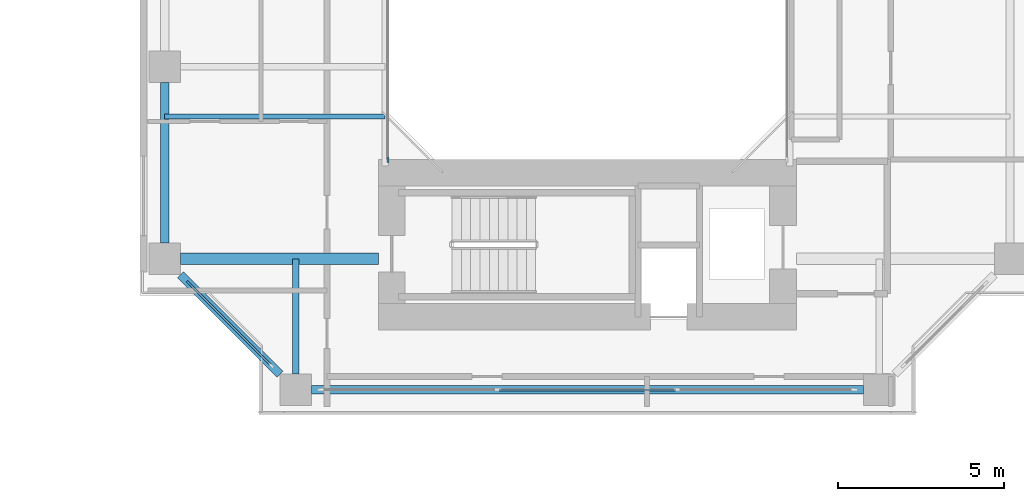
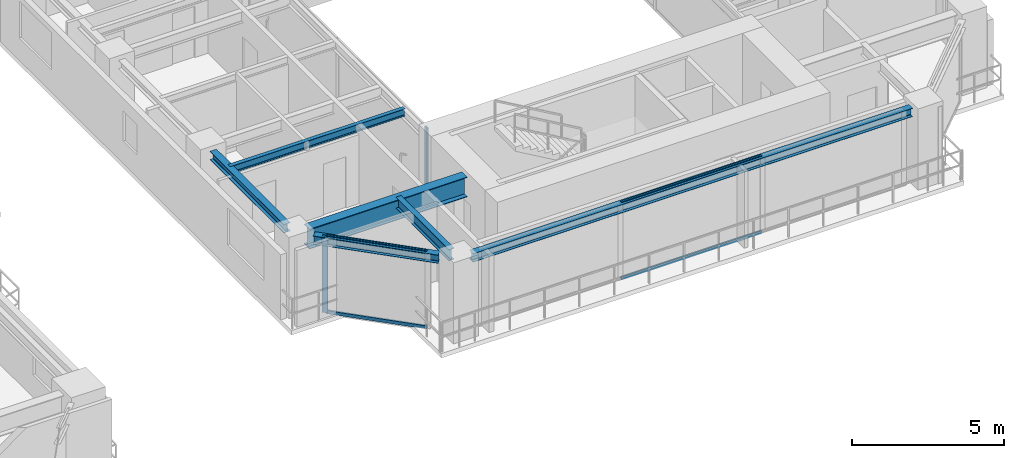
# One storey, part 6 of 23: 6 beams, 6 members, 3 elements without a shape of their own.
"""IFC4 building model written with IfcOpenShell, lengths in metres."""

from ifc_helpers import new_model, si_unit, direction, frame, origin, origin_2d, place, context, subcontext, project, spatial, rectangle, i_section, extrude, source, transform, mapped, material, layer, layer_set, material_profile, profile_set, type_object, element, aggregate, save


model = new_model("IFC4")

# Units and contexts
model_context = context("Model", 3, precision=1e-05, world=origin(), true_north=direction((0.0, 1.0)))
body_context = subcontext(model_context, "Body", "Model", "MODEL_VIEW")
ifc_project = project(units=[si_unit("LENGTHUNIT", "METRE"), si_unit("AREAUNIT", "SQUARE_METRE"), si_unit("VOLUMEUNIT", "CUBIC_METRE"), si_unit("PLANEANGLEUNIT", "RADIAN"), si_unit("MASSUNIT", "GRAM", prefix="KILO"), si_unit("THERMODYNAMICTEMPERATUREUNIT", "KELVIN"), si_unit("POWERUNIT", "WATT")], contexts=[model_context])

# Site, building, storey
site_placement = place(None, origin())
site = spatial("IfcSite", under=ifc_project, at=site_placement, CompositionType="ELEMENT")
building_placement = place(site_placement, origin())
building = spatial("IfcBuilding", under=site, at=building_placement, Name="Qiaomeng Ring Towers", CompositionType="ELEMENT")
storey_placement = place(building_placement, frame((0.0, 0.0, 60.0)))
storey = spatial("IfcBuildingStorey", under=building, at=storey_placement, Name="L16", CompositionType="ELEMENT", Elevation=60.0)

# Beams
ifc_material_1 = material(Name="Steel Q355B", Category="steel")
ifc_material_profile_1 = material_profile(ifc_material_1, i_section(OverallWidth=0.25, OverallDepth=0.340087890625, WebThickness=0.009033203125, FlangeThickness=0.013916015625, FilletRadius=0.02001953125, at=origin_2d()), Name="HM 340x250x9x14")
ifc_profile_set_1 = profile_set([ifc_material_profile_1], Name="Steel Q355B")
beam_type_1 = type_object("IfcBeamType", Name="STR-BM-HM340", PredefinedType="SPANDREL", material=ifc_profile_set_1)
shared_shape_1 = source(origin(), body_context, "Body", "SweptSolid", [
    extrude(i_section(OverallWidth=0.25, OverallDepth=0.340087890625, WebThickness=0.009033203125, FlangeThickness=0.013916015625, FilletRadius=0.02001953125, at=origin_2d()), origin(), (0.0, 0.0, 1.0), 16.65185546875),
])
beam_1_placement = place(storey_placement, frame((52.174072265625, 10.25, 2.89990234375), z_axis=(1.0, 0.0, 0.0), x_axis=(0.0, 1.0, 0.0)))
element("IfcBeam", 1, at=beam_1_placement, inside=storey, type_object=beam_type_1, Name="L16 beam STR-SP-L16-T2-S1-S2", PredefinedType="SPANDREL", context=body_context, shape_type="MappedRepresentation", body=[
    mapped(shared_shape_1, transform((0.0, 0.0, 0.0), x_axis=(1.0, 0.0, 0.0), y_axis=(0.0, 1.0, 0.0), z_axis=(0.0, 0.0, 1.0), scale=1.0)),
])
shared_shape_2 = source(origin(), body_context, "Body", "SweptSolid", [
    extrude(i_section(OverallWidth=0.25, OverallDepth=0.340087890625, WebThickness=0.009033203125, FlangeThickness=0.013916015625, FilletRadius=0.02001953125, at=origin_2d()), origin(), (0.0, 0.0, 1.0), 4.244384765625),
])
beam_2_placement = place(storey_placement, frame((48.224365234375, 13.7255859375, 2.89990234375), z_axis=(0.707106781187, -0.707106781187, 0.0), x_axis=(0.707106781187, 0.707106781187, 0.0)))
element("IfcBeam", 2, at=beam_2_placement, inside=storey, type_object=beam_type_1, Name="L16 beam STR-SP-L16-T2-W1-S1", PredefinedType="SPANDREL", context=body_context, shape_type="MappedRepresentation", body=[
    mapped(shared_shape_2, transform((0.0, 0.0, 0.0), x_axis=(1.0, 0.0, 0.0), y_axis=(0.0, 1.0, 0.0), z_axis=(0.0, 0.0, 1.0), scale=1.0)),
])
shared_shape_3 = source(origin(), body_context, "Body", "SweptSolid", [
    extrude(i_section(OverallWidth=0.25, OverallDepth=0.340087890625, WebThickness=0.009033203125, FlangeThickness=0.013916015625, FilletRadius=0.02001953125, at=origin_2d()), origin(), (0.0, 0.0, 1.0), 4.851806640625),
])
beam_3_placement = place(storey_placement, frame((47.75, 19.52587890625, 2.89990234375), z_axis=(0.0, -1.0, 0.0), x_axis=(1.0, 0.0, 0.0)))
element("IfcBeam", 3, at=beam_3_placement, inside=storey, type_object=beam_type_1, Name="L16 beam STR-SP-L16-T2-W2-W1", PredefinedType="SPANDREL", context=body_context, shape_type="MappedRepresentation", body=[
    mapped(shared_shape_3, transform((0.0, 0.0, 0.0), x_axis=(1.0, 0.0, 0.0), y_axis=(0.0, 1.0, 0.0), z_axis=(0.0, 0.0, 1.0), scale=1.0)),
])
ifc_material_2 = material(Name="Steel Q390GJC", Category="steel")
ifc_material_profile_2 = material_profile(ifc_material_2, i_section(OverallWidth=0.35009765625, OverallDepth=0.800048828125, WebThickness=0.01611328125, FlangeThickness=0.028076171875, at=origin_2d()), Name="WH 800x350x16x28")
ifc_profile_set_2 = profile_set([ifc_material_profile_2], Name="Steel Q390GJC")
beam_type_2 = type_object("IfcBeamType", Name="STR-BM-WH800", PredefinedType="BEAM", material=ifc_profile_set_2)
shared_shape_4 = source(origin(), body_context, "Body", "SweptSolid", [
    extrude(i_section(OverallWidth=0.35009765625, OverallDepth=0.800048828125, WebThickness=0.01611328125, FlangeThickness=0.028076171875, at=origin_2d()), origin(), (0.0, 0.0, 1.0), 5.975830078125),
])
beam_4_placement = place(storey_placement, frame((48.22412109375, 14.199951171875, 2.669921875), z_axis=(1.0, 0.0, 0.0), x_axis=(0.0, 1.0, 0.0)))
element("IfcBeam", 4, at=beam_4_placement, inside=storey, type_object=beam_type_2, Name="L16 beam STR-BM-L16-T2-RAD-W1", PredefinedType="BEAM", context=body_context, shape_type="MappedRepresentation", body=[
    mapped(shared_shape_4, transform((0.0, 0.0, 0.0), x_axis=(1.0, 0.0, 0.0), y_axis=(0.0, 1.0, 0.0), z_axis=(0.0, 0.0, 1.0), scale=1.0)),
])
ifc_material_profile_3 = material_profile(ifc_material_1, i_section(OverallWidth=0.199951171875, OverallDepth=0.449951171875, WebThickness=0.009033203125, FlangeThickness=0.013916015625, FilletRadius=0.01806640625, at=origin_2d()), Name="HN 450x200x9x14")
ifc_profile_set_3 = profile_set([ifc_material_profile_3], Name="Steel Q355B")
beam_type_3 = type_object("IfcBeamType", Name="STR-BM-HN450", PredefinedType="SPANDREL", material=ifc_profile_set_3)
shared_shape_5 = source(origin(), body_context, "Body", "SweptSolid", [
    extrude(i_section(OverallWidth=0.199951171875, OverallDepth=0.449951171875, WebThickness=0.009033203125, FlangeThickness=0.013916015625, FilletRadius=0.01806640625, at=origin_2d()), origin(), (0.0, 0.0, 1.0), 3.475830078125),
])
beam_5_placement = place(storey_placement, frame((51.699951171875, 10.72412109375, 2.844970703125), z_axis=(0.0, 1.0, 0.0), x_axis=(-1.0, 0.0, 0.0)))
element("IfcBeam", 5, at=beam_5_placement, inside=storey, type_object=beam_type_3, Name="L16 beam STR-BM-L16-T2-RAD-S1", PredefinedType="SPANDREL", context=body_context, shape_type="MappedRepresentation", body=[
    mapped(shared_shape_5, transform((0.0, 0.0, 0.0), x_axis=(1.0, 0.0, 0.0), y_axis=(0.0, 1.0, 0.0), z_axis=(0.0, 0.0, 1.0), scale=1.0)),
])
ifc_material_profile_4 = material_profile(ifc_material_1, i_section(OverallWidth=0.14990234375, OverallDepth=0.300048828125, WebThickness=0.006591796875, FlangeThickness=0.009033203125, FilletRadius=0.012939453125, at=origin_2d()), Name="HN 300x150x6.5x9")
ifc_profile_set_4 = profile_set([ifc_material_profile_4], Name="Steel Q355B")
beam_type_4 = type_object("IfcBeamType", Name="STR-BM-HN300", PredefinedType="JOIST", material=ifc_profile_set_4)
shared_shape_6 = source(origin(), body_context, "Body", "SweptSolid", [
    extrude(i_section(OverallWidth=0.14990234375, OverallDepth=0.300048828125, WebThickness=0.006591796875, FlangeThickness=0.009033203125, FilletRadius=0.012939453125, at=origin_2d()), origin(), (0.0, 0.0, 1.0), 6.64990234375),
])
beam_6_placement = place(storey_placement, frame((47.75, 18.5, 2.919921875), z_axis=(1.0, 0.0, 0.0), x_axis=(0.0, 1.0, 0.0)))
element("IfcBeam", 6, at=beam_6_placement, inside=storey, type_object=beam_type_4, Name="L16 beam STR-JST-L16-T2W-1", PredefinedType="JOIST", context=body_context, shape_type="MappedRepresentation", body=[
    mapped(shared_shape_6, transform((0.0, 0.0, 0.0), x_axis=(1.0, 0.0, 0.0), y_axis=(0.0, 1.0, 0.0), z_axis=(0.0, 0.0, 1.0), scale=1.0)),
])

# Curtain wall, member
ifc_material_3 = material(Name="Fluorocarbon dark-grey aluminium", Category="aluminium")
ifc_layer_1 = layer(ifc_material_3, 0.139892578125, Name="Fluorocarbon dark-grey aluminium")
ifc_layer_set_1 = layer_set([ifc_layer_1], Name="Fluorocarbon dark-grey aluminium")
curtain_wall_type_1 = type_object("IfcCurtainWallType", Name="ARC-CW-4", PredefinedType="NOTDEFINED", material=ifc_layer_set_1)
curtain_wall_1_placement = place(storey_placement, origin())
curtain_wall_1 = element("IfcCurtainWall", 7, at=curtain_wall_1_placement, inside=storey, type_object=curtain_wall_type_1, Name="L16 Curtain Wall CW4", PredefinedType="NOTDEFINED")
ifc_material_profile_5 = material_profile(ifc_material_3, rectangle(XDim=0.06494140625, YDim=0.159912109375, at=origin_2d()), Name="ALU MULL 65x160")
ifc_profile_set_5 = profile_set([ifc_material_profile_5], Name="Fluorocarbon dark-grey aluminium")
member_type_1 = type_object("IfcMemberType", Name="ARC-CWM-140", PredefinedType="MULLION", material=ifc_profile_set_5)
shared_shape_7 = source(origin(), body_context, "Body", "SweptSolid", [
    extrude(rectangle(XDim=0.06494140625, YDim=0.159912109375, at=origin_2d()), origin(), (0.0, 0.0, 1.0), 3.070068359375),
])
member_1_placement = place(storey_placement, frame((54.47998046875, 17.1826171875, 0.0), z_axis=(0.0, 0.0, 1.0), x_axis=(-1.0, 0.0, 0.0)))
member_1 = element("IfcMember", 8, at=member_1_placement, type_object=member_type_1, Name="CW4 mullion 1", PredefinedType="MULLION", context=body_context, shape_type="MappedRepresentation", body=[
    mapped(shared_shape_7, transform((0.0, 0.0, 0.0), x_axis=(1.0, 0.0, 0.0), y_axis=(0.0, 1.0, 0.0), z_axis=(0.0, 0.0, 1.0), scale=1.0)),
])
aggregate(curtain_wall_1, [member_1])

ifc_layer_2 = layer(ifc_material_3, 0.14990234375, Name="Fluorocarbon dark-grey aluminium")
ifc_layer_set_2 = layer_set([ifc_layer_2], Name="Fluorocarbon dark-grey aluminium")
curtain_wall_type_2 = type_object("IfcCurtainWallType", Name="ARC-CW-5", PredefinedType="NOTDEFINED", material=ifc_layer_set_2)
curtain_wall_2_placement = place(storey_placement, origin())
curtain_wall_2 = element("IfcCurtainWall", 9, at=curtain_wall_2_placement, inside=storey, type_object=curtain_wall_type_2, Name="L16 Curtain Wall CW5", PredefinedType="NOTDEFINED")
ifc_material_profile_6 = material_profile(ifc_material_3, rectangle(XDim=0.070068359375, YDim=0.179931640625, at=origin_2d()), Name="ALU MULL 70x180")
ifc_profile_set_6 = profile_set([ifc_material_profile_6], Name="Fluorocarbon dark-grey aluminium")
member_type_2 = type_object("IfcMemberType", Name="ARC-CWM-160", PredefinedType="MULLION", material=ifc_profile_set_6)
shared_shape_8 = source(origin(), body_context, "Body", "SweptSolid", [
    extrude(rectangle(XDim=0.070068359375, YDim=0.179931640625, at=origin_2d()), origin(), (0.0, 0.0, 1.0), 3.070068359375),
])
member_2_placement = place(storey_placement, frame((48.48974609375, 13.460205078125, 0.0), z_axis=(0.0, 0.0, 1.0), x_axis=(0.707106781187, 0.707106781187, 0.0)))
member_2 = element("IfcMember", 10, at=member_2_placement, type_object=member_type_2, Name="CW5 mullion 1", PredefinedType="MULLION", context=body_context, shape_type="MappedRepresentation", body=[
    mapped(shared_shape_8, transform((0.0, 0.0, 0.0), x_axis=(1.0, 0.0, 0.0), y_axis=(0.0, 1.0, 0.0), z_axis=(0.0, 0.0, 1.0), scale=1.0)),
])

# Curtain wall, members
curtain_wall_3_placement = place(storey_placement, origin())
curtain_wall_3 = element("IfcCurtainWall", 11, at=curtain_wall_3_placement, inside=storey, type_object=curtain_wall_type_2, Name="L16 Curtain Wall CW5", PredefinedType="NOTDEFINED")
ifc_material_profile_7 = material_profile(ifc_material_3, rectangle(XDim=0.06494140625, YDim=0.1298828125, at=origin_2d()), Name="ALU TRAN 65x130")
ifc_profile_set_7 = profile_set([ifc_material_profile_7], Name="Fluorocarbon dark-grey aluminium")
member_type_3 = type_object("IfcMemberType", Name="ARC-CWT-120", PredefinedType="USERDEFINED", material=ifc_profile_set_7)
shared_shape_9 = source(origin(), body_context, "Body", "SweptSolid", [
    extrude(rectangle(XDim=0.06494140625, YDim=0.1298828125, at=origin_2d()), origin(), (0.0, 0.0, 1.0), 5.31982421875),
])
member_3_placement = place(storey_placement, frame((57.840087890625, 10.25, 0.032470703125), z_axis=(1.0, 0.0, 0.0), x_axis=(0.0, 1.0, 0.0)))
member_3 = element("IfcMember", 12, at=member_3_placement, type_object=member_type_3, Name="CW5 transom 2.1", ObjectType="TRANSOM", PredefinedType="USERDEFINED", context=body_context, shape_type="MappedRepresentation", body=[
    mapped(shared_shape_9, transform((0.0, 0.0, 0.0), x_axis=(1.0, 0.0, 0.0), y_axis=(0.0, 1.0, 0.0), z_axis=(0.0, 0.0, 1.0), scale=1.0)),
])
member_4_placement = place(storey_placement, frame((57.840087890625, 10.25, 3.03759765625), z_axis=(1.0, 0.0, 0.0), x_axis=(0.0, 1.0, 0.0)))
member_4 = element("IfcMember", 13, at=member_4_placement, type_object=member_type_3, Name="CW5 transom 2.2", ObjectType="TRANSOM", PredefinedType="USERDEFINED", context=body_context, shape_type="MappedRepresentation", body=[
    mapped(shared_shape_9, transform((0.0, 0.0, 0.0), x_axis=(1.0, 0.0, 0.0), y_axis=(0.0, 1.0, 0.0), z_axis=(0.0, 0.0, 1.0), scale=1.0)),
])
aggregate(curtain_wall_3, [member_3, member_4])

# Member
shared_shape_10 = source(origin(), body_context, "Body", "SweptSolid", [
    extrude(rectangle(XDim=0.06494140625, YDim=0.1298828125, at=origin_2d()), origin(), (0.0, 0.0, 1.0), 3.424072265625),
])
member_5_placement = place(storey_placement, frame((48.514404296875, 13.435546875, 0.032470703125), z_axis=(0.707106781187, -0.707106781187, 0.0), x_axis=(0.707106781187, 0.707106781187, 0.0)))
member_5 = element("IfcMember", 14, at=member_5_placement, type_object=member_type_3, Name="CW5 transom 1.1", ObjectType="TRANSOM", PredefinedType="USERDEFINED", context=body_context, shape_type="MappedRepresentation", body=[
    mapped(shared_shape_10, transform((0.0, 0.0, 0.0), x_axis=(1.0, 0.0, 0.0), y_axis=(0.0, 1.0, 0.0), z_axis=(0.0, 0.0, 1.0), scale=1.0)),
])

member_6_placement = place(storey_placement, frame((48.514404296875, 13.435546875, 3.03759765625), z_axis=(0.707106781187, -0.707106781187, 0.0), x_axis=(0.707106781187, 0.707106781187, 0.0)))
member_6 = element("IfcMember", 15, at=member_6_placement, type_object=member_type_3, Name="CW5 transom 1.2", ObjectType="TRANSOM", PredefinedType="USERDEFINED", context=body_context, shape_type="MappedRepresentation", body=[
    mapped(shared_shape_10, transform((0.0, 0.0, 0.0), x_axis=(1.0, 0.0, 0.0), y_axis=(0.0, 1.0, 0.0), z_axis=(0.0, 0.0, 1.0), scale=1.0)),
])

aggregate(curtain_wall_2, [member_2, member_5, member_6])

save(model, "model.ifc")
